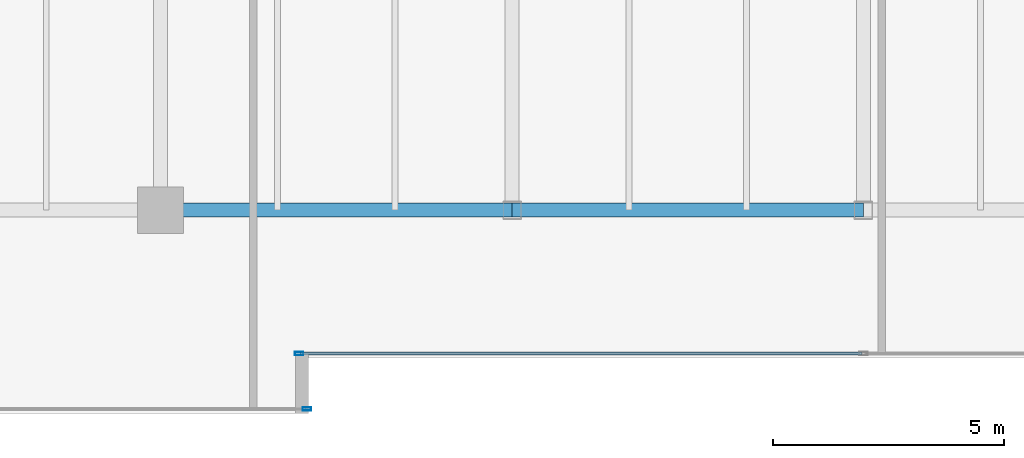
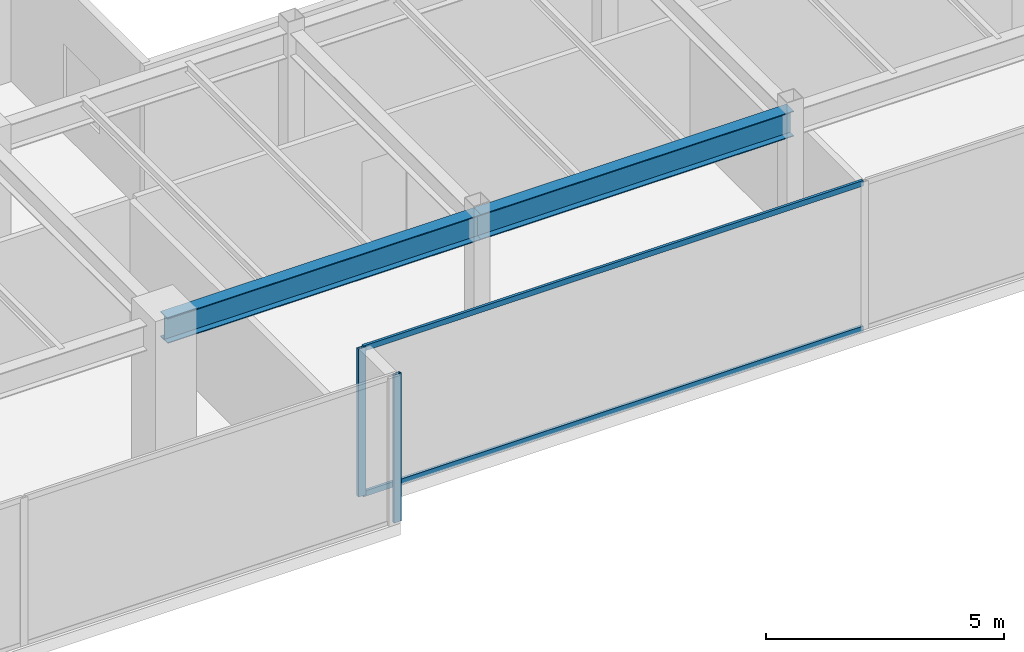
# One storey, part 7 of 33: 4 members, 2 beams, 2 elements without a shape of their own.
"""IFC4 building model written with IfcOpenShell, lengths in metres."""

from ifc_helpers import new_model, si_unit, direction, frame, origin, origin_2d, place, context, subcontext, project, spatial, hollow_rectangle, i_section, extrude, source, transform, mapped, material, layer, layer_set, material_profile, profile_set, type_object, type_shapes, element, aggregate, save


model = new_model("IFC4")

# Units and contexts
model_context = context("Model", 3, precision=1e-05, world=origin(), true_north=direction((0.0, 1.0)))
body_context = subcontext(model_context, "Body", "Model", "MODEL_VIEW")
ifc_project = project(units=[si_unit("LENGTHUNIT", "METRE"), si_unit("AREAUNIT", "SQUARE_METRE"), si_unit("VOLUMEUNIT", "CUBIC_METRE"), si_unit("PLANEANGLEUNIT", "RADIAN"), si_unit("MASSUNIT", "GRAM", prefix="KILO")], contexts=[model_context])

# Site, building, storey
site_placement = place(None, origin())
site = spatial("IfcSite", under=ifc_project, at=site_placement, CompositionType="ELEMENT")
building_placement = place(site_placement, origin())
building = spatial("IfcBuilding", under=site, at=building_placement, Name="Haelvirn Gate Laboratories", CompositionType="ELEMENT")
storey_placement = place(building_placement, frame((0.0, 0.0, 267.0)))
storey = spatial("IfcBuildingStorey", under=building, at=storey_placement, Name="L64", CompositionType="ELEMENT", Elevation=267.0)

# Beams
ifc_material_1 = material(Name="Steel SM355", Category="steel")
ifc_material_profile_1 = material_profile(ifc_material_1, i_section(OverallWidth=0.300048828125, OverallDepth=0.64990234375, WebThickness=0.012939453125, FlangeThickness=0.02197265625, at=origin_2d()), Name="H-650x300x13x22")
ifc_profile_set_1 = profile_set([ifc_material_profile_1], Name="Steel SM355")
beam_type = type_object("IfcBeamType", Name="BM-G-650", PredefinedType="BEAM", material=ifc_profile_set_1)
shared_shape_1 = source(origin(), body_context, "Body", "SweptSolid", [
    extrude(i_section(OverallWidth=0.300048828125, OverallDepth=0.64990234375, WebThickness=0.012939453125, FlangeThickness=0.02197265625, at=origin_2d()), origin(), (0.0, 0.0, 1.0), 7.60009765625),
])
beam_1_placement = place(storey_placement, frame((22.199951171875, 7.0, 3.47509765625), z_axis=(1.0, 0.0, 0.0), x_axis=(0.0, 1.0, 0.0)))
element("IfcBeam", 1, at=beam_1_placement, inside=storey, type_object=beam_type, Name="L64 Primary Girder Y7.0 (22.2-29.8)", PredefinedType="BEAM", context=body_context, shape_type="MappedRepresentation", body=[
    mapped(shared_shape_1, transform((0.0, 0.0, 0.0), scale=1.0)),
])
shared_shape_2 = source(origin(), body_context, "Body", "SweptSolid", [
    extrude(i_section(OverallWidth=0.300048828125, OverallDepth=0.64990234375, WebThickness=0.012939453125, FlangeThickness=0.02197265625, at=origin_2d()), origin(), (0.0, 0.0, 1.0), 7.599853515625),
])
type_shapes(beam_type, [shared_shape_1, shared_shape_2])
beam_2_placement = place(storey_placement, frame((29.800048828125, 7.0, 3.47509765625), z_axis=(1.0, 0.0, 0.0), x_axis=(0.0, 1.0, 0.0)))
element("IfcBeam", 2, at=beam_2_placement, inside=storey, type_object=beam_type, Name="L64 Primary Girder Y7.0 (29.8-37.4)", PredefinedType="BEAM", context=body_context, shape_type="MappedRepresentation", body=[
    mapped(shared_shape_2, transform((0.0, 0.0, 0.0), scale=1.0)),
])

# Curtain wall, members
ifc_material_2 = material(Name="Anodised bronze unitised aluminium & triple low-E glass", Category="aluminium")
ifc_layer = layer(ifc_material_2, 0.176025390625, Name="CW-SYS-4")
ifc_layer_set = layer_set([ifc_layer], Name="Anodised bronze unitised aluminium & triple low-E glass")
curtain_wall_type = type_object("IfcCurtainWallType", Name="CW-SYS-4", PredefinedType="NOTDEFINED", material=ifc_layer_set)
curtain_wall_1_placement = place(storey_placement, origin())
curtain_wall_1 = element("IfcCurtainWall", 3, at=curtain_wall_1_placement, inside=storey, type_object=curtain_wall_type, Name="L64 Unitised Curtain Wall CW-L64-P0-E02-1", PredefinedType="NOTDEFINED")
ifc_material_3 = material(Name="Extruded aluminium 6063-T6 (anodised bronze)", Category="aluminium")
ifc_material_profile_2 = material_profile(ifc_material_3, hollow_rectangle(XDim=0.06494140625, YDim=0.139892578125, WallThickness=0.00390625, at=origin_2d()), Name="CWT-140x65x4")
ifc_profile_set_2 = profile_set([ifc_material_profile_2], Name="Extruded aluminium 6063-T6 (anodised bronze)")
member_type_1 = type_object("IfcMemberType", Name="CWT-T140", PredefinedType="USERDEFINED", material=ifc_profile_set_2)
shared_shape_3 = source(origin(), body_context, "Body", "SweptSolid", [
    extrude(hollow_rectangle(XDim=0.06494140625, YDim=0.139892578125, WallThickness=0.00390625, at=origin_2d()), origin(), (0.0, 0.0, 1.0), 12.135009765625),
])
type_shapes(member_type_1, [shared_shape_3])
member_1_placement = place(storey_placement, frame((25.22998046875, 3.89990234375, 0.032470703125), z_axis=(1.0, 0.0, 0.0), x_axis=(0.0, 1.0, 0.0)))
member_1 = element("IfcMember", 4, at=member_1_placement, type_object=member_type_1, Name="CW4 transom 1.1", ObjectType="TRANSOM", PredefinedType="USERDEFINED", context=body_context, shape_type="MappedRepresentation", body=[
    mapped(shared_shape_3, transform((0.0, 0.0, 0.0), scale=1.0)),
])
member_2_placement = place(storey_placement, frame((25.22998046875, 3.89990234375, 3.767578125), z_axis=(1.0, 0.0, 0.0), x_axis=(0.0, 1.0, 0.0)))
member_2 = element("IfcMember", 5, at=member_2_placement, type_object=member_type_1, Name="CW4 transom 1.2", ObjectType="TRANSOM", PredefinedType="USERDEFINED", context=body_context, shape_type="MappedRepresentation", body=[
    mapped(shared_shape_3, transform((0.0, 0.0, 0.0), scale=1.0)),
])

# Curtain wall, member
curtain_wall_2_placement = place(storey_placement, origin())
curtain_wall_2 = element("IfcCurtainWall", 6, at=curtain_wall_2_placement, inside=storey, type_object=curtain_wall_type, Name="L64 Unitised Curtain Wall CW-L64-P0-E00-1", PredefinedType="NOTDEFINED")
ifc_material_profile_3 = material_profile(ifc_material_3, hollow_rectangle(XDim=0.070068359375, YDim=0.179931640625, WallThickness=0.0048828125, at=origin_2d()), Name="CWM-180x70x5")
ifc_profile_set_3 = profile_set([ifc_material_profile_3], Name="Extruded aluminium 6063-T6 (anodised bronze)")
member_type_2 = type_object("IfcMemberType", Name="CWM-T180", PredefinedType="MULLION", material=ifc_profile_set_3)
shared_shape_4 = source(origin(), body_context, "Body", "SweptSolid", [
    extrude(hollow_rectangle(XDim=0.070068359375, YDim=0.179931640625, WallThickness=0.0048828125, at=origin_2d()), origin(), (0.0, 0.0, 1.0), 3.800048828125),
])
type_shapes(member_type_2, [shared_shape_4])
member_3_placement = place(storey_placement, frame((25.364990234375, 2.699951171875, 0.0), z_axis=(0.0, 0.0, 1.0), x_axis=(0.0, 1.0, 0.0)))
member_3 = element("IfcMember", 7, at=member_3_placement, type_object=member_type_2, Name="CW4 mullion 3", PredefinedType="MULLION", context=body_context, shape_type="MappedRepresentation", body=[
    mapped(shared_shape_4, transform((0.0, 0.0, 0.0), scale=1.0)),
])
aggregate(curtain_wall_2, [member_3])

# Member
member_4_placement = place(storey_placement, frame((25.195068359375, 3.89990234375, 0.0), z_axis=(0.0, 0.0, 1.0), x_axis=(0.0, 1.0, 0.0)))
member_4 = element("IfcMember", 8, at=member_4_placement, type_object=member_type_2, Name="CW4 mullion 1", PredefinedType="MULLION", context=body_context, shape_type="MappedRepresentation", body=[
    mapped(shared_shape_4, transform((0.0, 0.0, 0.0), scale=1.0)),
])

aggregate(curtain_wall_1, [member_4, member_1, member_2])

save(model, "model.ifc")
